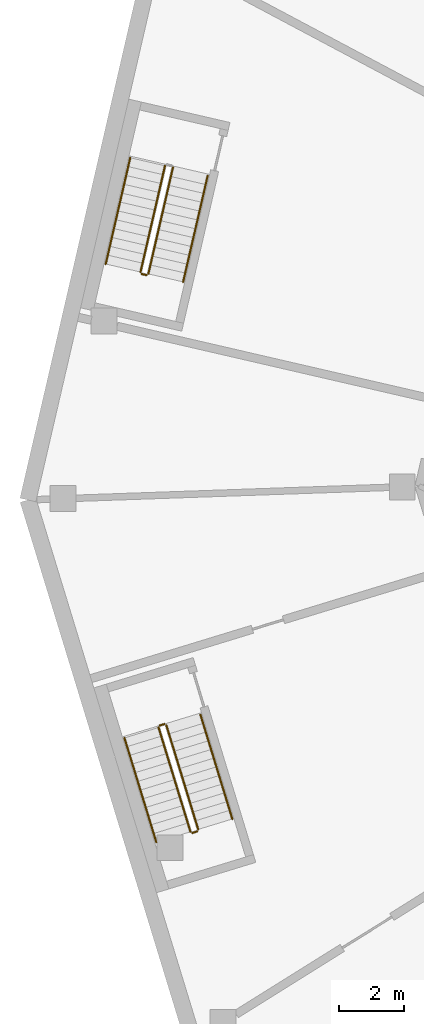
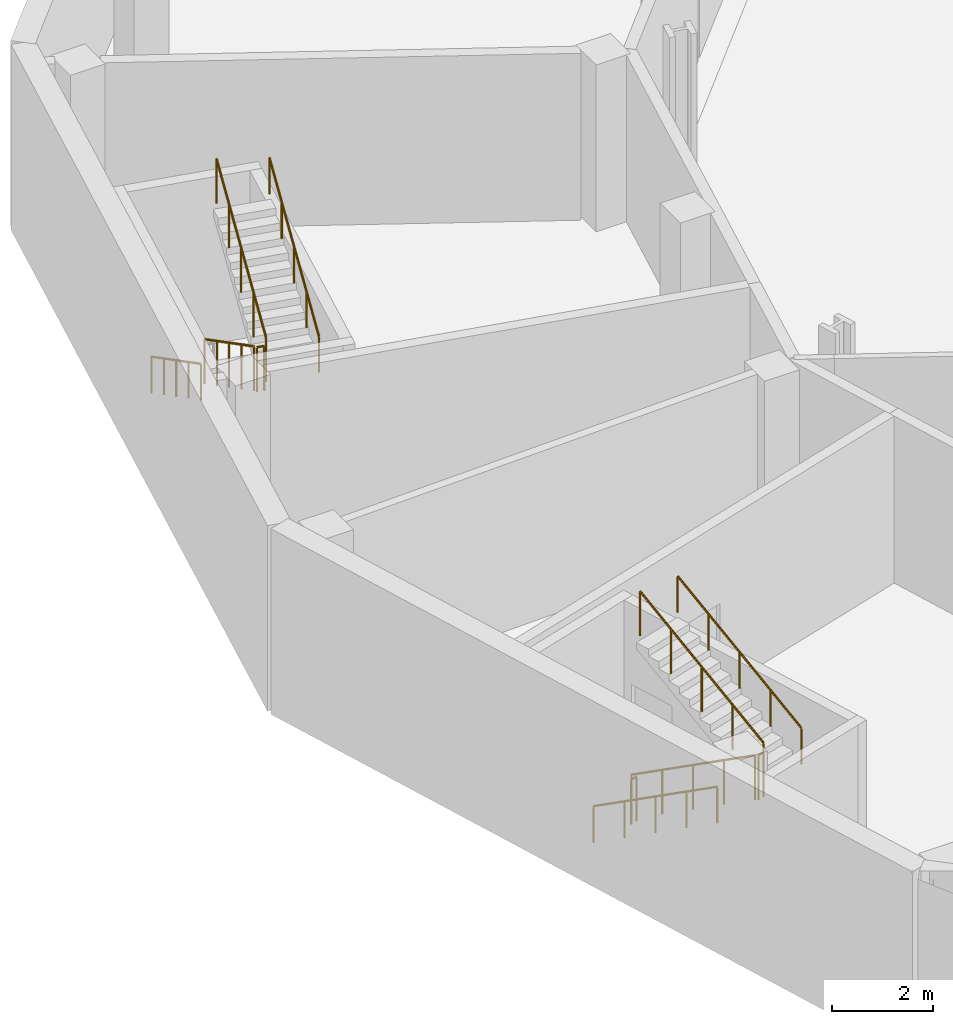
# One storey, part 21 of 27: 11 railings.
"""IFC4 building model written with IfcOpenShell, lengths in metres."""

from ifc_helpers import new_model, si_unit, direction, frame, origin, place, context, subcontext, project, spatial, polyline, outline, extrude, material, type_object, element, save


model = new_model("IFC4")

# Units and contexts
model_context = context("Model", 3, precision=1e-05, world=origin(), true_north=direction((0.0, 1.0)))
body_context = subcontext(model_context, "Body", "Model", "MODEL_VIEW")
ifc_project = project(units=[si_unit("LENGTHUNIT", "METRE"), si_unit("AREAUNIT", "SQUARE_METRE"), si_unit("VOLUMEUNIT", "CUBIC_METRE"), si_unit("PLANEANGLEUNIT", "RADIAN"), si_unit("MASSUNIT", "GRAM", prefix="KILO")], contexts=[model_context])

# Site, building, storey
site_placement = place(None, origin())
site = spatial("IfcSite", under=ifc_project, at=site_placement, CompositionType="ELEMENT")
building_placement = place(site_placement, origin())
building = spatial("IfcBuilding", under=site, at=building_placement, Name="Cormorant Relay Tower", CompositionType="ELEMENT")
storey_placement = place(building_placement, frame((0.0, 0.0, -4.5)))
storey = spatial("IfcBuildingStorey", under=building, at=storey_placement, Name="B1", CompositionType="ELEMENT", Elevation=-4.5)

# Railings
ifc_material_1 = material(Name="Steel ASTM A572 Grade 50 (Fy 345 MPa)", Category="steel")
railing_type_1 = type_object("IfcRailingType", Name="Podium stair guard 1100", PredefinedType="GUARDRAIL", material=ifc_material_1)
railing_1_placement = place(storey_placement, frame((-69.16943359375, 30.248291015625, 0.173095703125)))
element("IfcRailing", 1, at=railing_1_placement, inside=storey, type_object=railing_type_1, Name="B1 X3 stair guard 1", PredefinedType="GUARDRAIL", context=body_context, shape_type="SweptSolid", body=[
    extrude(outline(polyline([(0.022216796875, 0.00927734375), (0.00927734375, 0.022216796875), (-0.00927734375, 0.022216796875), (-0.022216796875, 0.00927734375), (-0.022216796875, -0.00927734375), (-0.00927734375, -0.022216796875), (0.00927734375, -0.022216796875), (0.022216796875, -0.00927734375), (0.022216796875, 0.00927734375)])), frame((0.0, 0.0, 1.076171875), z_axis=(-0.191351009857, -0.82881687409, 0.525782635935), x_axis=(0.974369148124, -0.224955024802, 0.0)), (0.0, 0.0, 1.0), 3.9501953125),
    extrude(outline(polyline([(0.019287109375, 0.008056640625), (0.008056640625, 0.019287109375), (-0.008056640625, 0.019287109375), (-0.019287109375, 0.008056640625), (-0.019287109375, -0.008056640625), (-0.008056640625, -0.019287109375), (0.008056640625, -0.019287109375), (0.019287109375, -0.008056640625), (0.019287109375, 0.008056640625)])), origin(), (0.0, 0.0, 1.0), 1.052001953125),
    extrude(outline(polyline([(0.019287109375, 0.008056640625), (0.008056640625, 0.019287109375), (-0.008056640625, 0.019287109375), (-0.019287109375, 0.008056640625), (-0.019287109375, -0.008056640625), (-0.008056640625, -0.019287109375), (0.008056640625, -0.019287109375), (0.019287109375, -0.008056640625), (0.019287109375, 0.008056640625)])), frame((-0.18896484375, -0.818359375, 0.519287109375)), (0.0, 0.0, 1.0), 1.052001953125),
    extrude(outline(polyline([(0.019287109375, 0.008056640625), (0.008056640625, 0.019287109375), (-0.008056640625, 0.019287109375), (-0.019287109375, 0.008056640625), (-0.019287109375, -0.008056640625), (-0.008056640625, -0.019287109375), (0.008056640625, -0.019287109375), (0.019287109375, -0.008056640625), (0.019287109375, 0.008056640625)])), frame((-0.3779296875, -1.636962890625, 1.03857421875)), (0.0, 0.0, 1.0), 1.052001953125),
    extrude(outline(polyline([(0.019287109375, 0.008056640625), (0.008056640625, 0.019287109375), (-0.008056640625, 0.019287109375), (-0.019287109375, 0.008056640625), (-0.019287109375, -0.008056640625), (-0.008056640625, -0.019287109375), (0.008056640625, -0.019287109375), (0.019287109375, -0.008056640625), (0.019287109375, 0.008056640625)])), frame((-0.56689453125, -2.45556640625, 1.5576171875)), (0.0, 0.0, 1.0), 1.052001953125),
    extrude(outline(polyline([(0.019287109375, 0.008056640625), (0.008056640625, 0.019287109375), (-0.008056640625, 0.019287109375), (-0.019287109375, 0.008056640625), (-0.019287109375, -0.008056640625), (-0.008056640625, -0.019287109375), (0.008056640625, -0.019287109375), (0.019287109375, -0.008056640625), (0.019287109375, 0.008056640625)])), frame((-0.755859375, -3.27392578125, 2.076904296875)), (0.0, 0.0, 1.0), 1.052001953125),
])
railing_2_placement = place(storey_placement, frame((-69.887939453125, 26.914306640625, 2.25)))
element("IfcRailing", 2, at=railing_2_placement, inside=storey, type_object=railing_type_1, Name="B1 X3 stair guard 2", PredefinedType="GUARDRAIL", context=body_context, shape_type="SweptSolid", body=[
    extrude(outline(polyline([(0.022216796875, 0.00927734375), (0.00927734375, 0.022216796875), (-0.00927734375, 0.022216796875), (-0.022216796875, 0.00927734375), (-0.022216796875, -0.00927734375), (-0.00927734375, -0.022216796875), (0.00927734375, -0.022216796875), (0.022216796875, -0.00927734375), (0.022216796875, 0.00927734375)])), frame((0.0, 0.0, 1.076171875), z_axis=(0.974473386136, -0.224503050562, 0.0), x_axis=(0.224503050562, 0.974473386136, 0.0)), (0.0, 0.0, 1.0), 0.150146484375),
    extrude(outline(polyline([(0.019287109375, 0.008056640625), (0.008056640625, 0.019287109375), (-0.008056640625, 0.019287109375), (-0.019287109375, 0.008056640625), (-0.019287109375, -0.008056640625), (-0.008056640625, -0.019287109375), (0.008056640625, -0.019287109375), (0.019287109375, -0.008056640625), (0.019287109375, 0.008056640625)])), origin(), (0.0, 0.0, 1.0), 1.052001953125),
    extrude(outline(polyline([(0.019287109375, 0.008056640625), (0.008056640625, 0.019287109375), (-0.008056640625, 0.019287109375), (-0.019287109375, 0.008056640625), (-0.019287109375, -0.008056640625), (-0.008056640625, -0.019287109375), (0.008056640625, -0.019287109375), (0.019287109375, -0.008056640625), (0.019287109375, 0.008056640625)])), frame((0.146240234375, -0.03369140625, 0.0)), (0.0, 0.0, 1.0), 1.052001953125),
])
railing_3_placement = place(storey_placement, frame((-69.681884765625, 26.918212890625, 2.423095703125)))
element("IfcRailing", 3, at=railing_3_placement, inside=storey, type_object=railing_type_1, Name="B1 X3 stair guard 3", PredefinedType="GUARDRAIL", context=body_context, shape_type="SweptSolid", body=[
    extrude(outline(polyline([(0.022216796875, 0.00927734375), (0.00927734375, 0.022216796875), (-0.00927734375, 0.022216796875), (-0.022216796875, 0.00927734375), (-0.022216796875, -0.00927734375), (-0.00927734375, -0.022216796875), (0.00927734375, -0.022216796875), (0.022216796875, -0.00927734375), (0.022216796875, 0.00927734375)])), frame((0.0, 0.0, 1.076171875), z_axis=(0.191351009857, 0.82881687409, 0.525782635935), x_axis=(-0.974369148124, 0.224955024802, 0.0)), (0.0, 0.0, 1.0), 3.9501953125),
    extrude(outline(polyline([(0.019287109375, 0.008056640625), (0.008056640625, 0.019287109375), (-0.008056640625, 0.019287109375), (-0.019287109375, 0.008056640625), (-0.019287109375, -0.008056640625), (-0.008056640625, -0.019287109375), (0.008056640625, -0.019287109375), (0.019287109375, -0.008056640625), (0.019287109375, 0.008056640625)])), origin(), (0.0, 0.0, 1.0), 1.052001953125),
    extrude(outline(polyline([(0.019287109375, 0.008056640625), (0.008056640625, 0.019287109375), (-0.008056640625, 0.019287109375), (-0.019287109375, 0.008056640625), (-0.019287109375, -0.008056640625), (-0.008056640625, -0.019287109375), (0.008056640625, -0.019287109375), (0.019287109375, -0.008056640625), (0.019287109375, 0.008056640625)])), frame((0.18896484375, 0.818359375, 0.519287109375)), (0.0, 0.0, 1.0), 1.052001953125),
    extrude(outline(polyline([(0.019287109375, 0.008056640625), (0.008056640625, 0.019287109375), (-0.008056640625, 0.019287109375), (-0.019287109375, 0.008056640625), (-0.019287109375, -0.008056640625), (-0.008056640625, -0.019287109375), (0.008056640625, -0.019287109375), (0.019287109375, -0.008056640625), (0.019287109375, 0.008056640625)])), frame((0.3779296875, 1.636962890625, 1.03857421875)), (0.0, 0.0, 1.0), 1.052001953125),
    extrude(outline(polyline([(0.019287109375, 0.008056640625), (0.008056640625, 0.019287109375), (-0.008056640625, 0.019287109375), (-0.019287109375, 0.008056640625), (-0.019287109375, -0.008056640625), (-0.008056640625, -0.019287109375), (0.008056640625, -0.019287109375), (0.019287109375, -0.008056640625), (0.019287109375, 0.008056640625)])), frame((0.56689453125, 2.45556640625, 1.5576171875)), (0.0, 0.0, 1.0), 1.052001953125),
    extrude(outline(polyline([(0.019287109375, 0.008056640625), (0.008056640625, 0.019287109375), (-0.008056640625, 0.019287109375), (-0.019287109375, 0.008056640625), (-0.019287109375, -0.008056640625), (-0.008056640625, -0.019287109375), (0.008056640625, -0.019287109375), (0.019287109375, -0.008056640625), (0.019287109375, 0.008056640625)])), frame((0.755859375, 3.27392578125, 2.076904296875)), (0.0, 0.0, 1.0), 1.052001953125),
])
railing_4_placement = place(storey_placement, frame((-69.367919921875, 12.9375, 0.173095703125)))
element("IfcRailing", 4, at=railing_4_placement, inside=storey, type_object=railing_type_1, Name="B1 X4 stair guard 1", PredefinedType="GUARDRAIL", context=body_context, shape_type="SweptSolid", body=[
    extrude(outline(polyline([(0.022216796875, 0.00927734375), (0.00927734375, 0.022216796875), (-0.00927734375, 0.022216796875), (-0.022216796875, 0.00927734375), (-0.022216796875, -0.00927734375), (-0.00927734375, -0.022216796875), (0.00927734375, -0.022216796875), (0.022216796875, -0.00927734375), (0.022216796875, 0.00927734375)])), frame((0.0, 0.0, 1.076171875), z_axis=(0.24869855367, -0.813461819933, 0.525765058666), x_axis=(0.956305309112, 0.292369895447, 0.0)), (0.0, 0.0, 1.0), 3.9501953125),
    extrude(outline(polyline([(0.019287109375, 0.008056640625), (0.008056640625, 0.019287109375), (-0.008056640625, 0.019287109375), (-0.019287109375, 0.008056640625), (-0.019287109375, -0.008056640625), (-0.008056640625, -0.019287109375), (0.008056640625, -0.019287109375), (0.019287109375, -0.008056640625), (0.019287109375, 0.008056640625)])), origin(), (0.0, 0.0, 1.0), 1.052001953125),
    extrude(outline(polyline([(0.019287109375, 0.008056640625), (0.008056640625, 0.019287109375), (-0.008056640625, 0.019287109375), (-0.019287109375, 0.008056640625), (-0.019287109375, -0.008056640625), (-0.008056640625, -0.019287109375), (0.008056640625, -0.019287109375), (0.019287109375, -0.008056640625), (0.019287109375, 0.008056640625)])), frame((0.24560546875, -0.80322265625, 0.519287109375)), (0.0, 0.0, 1.0), 1.052001953125),
    extrude(outline(polyline([(0.019287109375, 0.008056640625), (0.008056640625, 0.019287109375), (-0.008056640625, 0.019287109375), (-0.019287109375, 0.008056640625), (-0.019287109375, -0.008056640625), (-0.008056640625, -0.019287109375), (0.008056640625, -0.019287109375), (0.019287109375, -0.008056640625), (0.019287109375, 0.008056640625)])), frame((0.4912109375, -1.606689453125, 1.03857421875)), (0.0, 0.0, 1.0), 1.052001953125),
    extrude(outline(polyline([(0.019287109375, 0.008056640625), (0.008056640625, 0.019287109375), (-0.008056640625, 0.019287109375), (-0.019287109375, 0.008056640625), (-0.019287109375, -0.008056640625), (-0.008056640625, -0.019287109375), (0.008056640625, -0.019287109375), (0.019287109375, -0.008056640625), (0.019287109375, 0.008056640625)])), frame((0.73681640625, -2.41015625, 1.5576171875)), (0.0, 0.0, 1.0), 1.052001953125),
    extrude(outline(polyline([(0.019287109375, 0.008056640625), (0.008056640625, 0.019287109375), (-0.008056640625, 0.019287109375), (-0.019287109375, 0.008056640625), (-0.019287109375, -0.008056640625), (-0.008056640625, -0.019287109375), (0.008056640625, -0.019287109375), (0.019287109375, -0.008056640625), (0.019287109375, 0.008056640625)])), frame((0.982421875, -3.21337890625, 2.076904296875)), (0.0, 0.0, 1.0), 1.052001953125),
])
railing_5_placement = place(storey_placement, frame((-68.322998046875, 9.69091796875, 2.25)))
element("IfcRailing", 5, at=railing_5_placement, inside=storey, type_object=railing_type_1, Name="B1 X4 stair guard 2", PredefinedType="GUARDRAIL", context=body_context, shape_type="SweptSolid", body=[
    extrude(outline(polyline([(0.022216796875, 0.00927734375), (0.00927734375, 0.022216796875), (-0.00927734375, 0.022216796875), (-0.022216796875, 0.00927734375), (-0.022216796875, -0.00927734375), (-0.00927734375, -0.022216796875), (0.00927734375, -0.022216796875), (0.022216796875, -0.00927734375), (0.022216796875, 0.00927734375)])), frame((0.0, 0.0, 1.076171875), z_axis=(0.956060295189, 0.293170107554, 0.0), x_axis=(-0.293170107554, 0.956060295189, 0.0)), (0.0, 0.0, 1.0), 0.14990234375),
    extrude(outline(polyline([(0.019287109375, 0.008056640625), (0.008056640625, 0.019287109375), (-0.008056640625, 0.019287109375), (-0.019287109375, 0.008056640625), (-0.019287109375, -0.008056640625), (-0.008056640625, -0.019287109375), (0.008056640625, -0.019287109375), (0.019287109375, -0.008056640625), (0.019287109375, 0.008056640625)])), origin(), (0.0, 0.0, 1.0), 1.052001953125),
    extrude(outline(polyline([(0.019287109375, 0.008056640625), (0.008056640625, 0.019287109375), (-0.008056640625, 0.019287109375), (-0.019287109375, 0.008056640625), (-0.019287109375, -0.008056640625), (-0.008056640625, -0.019287109375), (0.008056640625, -0.019287109375), (0.019287109375, -0.008056640625), (0.019287109375, 0.008056640625)])), frame((0.143310546875, 0.0439453125, 0.0)), (0.0, 0.0, 1.0), 1.052001953125),
])
railing_6_placement = place(storey_placement, frame((-68.146484375, 9.79736328125, 2.423095703125)))
element("IfcRailing", 6, at=railing_6_placement, inside=storey, type_object=railing_type_1, Name="B1 X4 stair guard 3", PredefinedType="GUARDRAIL", context=body_context, shape_type="SweptSolid", body=[
    extrude(outline(polyline([(0.022216796875, 0.00927734375), (0.00927734375, 0.022216796875), (-0.00927734375, 0.022216796875), (-0.022216796875, 0.00927734375), (-0.022216796875, -0.00927734375), (-0.00927734375, -0.022216796875), (0.00927734375, -0.022216796875), (0.022216796875, -0.00927734375), (0.022216796875, 0.00927734375)])), frame((0.0, 0.0, 1.076171875), z_axis=(-0.248653072412, 0.81345341437, 0.5257995742), x_axis=(-0.956319412983, -0.292323759473, 0.0)), (0.0, 0.0, 1.0), 3.949951171875),
    extrude(outline(polyline([(0.019287109375, 0.008056640625), (0.008056640625, 0.019287109375), (-0.008056640625, 0.019287109375), (-0.019287109375, 0.008056640625), (-0.019287109375, -0.008056640625), (-0.008056640625, -0.019287109375), (0.008056640625, -0.019287109375), (0.019287109375, -0.008056640625), (0.019287109375, 0.008056640625)])), origin(), (0.0, 0.0, 1.0), 1.052001953125),
    extrude(outline(polyline([(0.019287109375, 0.008056640625), (0.008056640625, 0.019287109375), (-0.008056640625, 0.019287109375), (-0.019287109375, 0.008056640625), (-0.019287109375, -0.008056640625), (-0.008056640625, -0.019287109375), (0.008056640625, -0.019287109375), (0.019287109375, -0.008056640625), (0.019287109375, 0.008056640625)])), frame((-0.24560546875, 0.80322265625, 0.519287109375)), (0.0, 0.0, 1.0), 1.052001953125),
    extrude(outline(polyline([(0.019287109375, 0.008056640625), (0.008056640625, 0.019287109375), (-0.008056640625, 0.019287109375), (-0.019287109375, 0.008056640625), (-0.019287109375, -0.008056640625), (-0.008056640625, -0.019287109375), (0.008056640625, -0.019287109375), (0.019287109375, -0.008056640625), (0.019287109375, 0.008056640625)])), frame((-0.4912109375, 1.6064453125, 1.03857421875)), (0.0, 0.0, 1.0), 1.052001953125),
    extrude(outline(polyline([(0.019287109375, 0.008056640625), (0.008056640625, 0.019287109375), (-0.008056640625, 0.019287109375), (-0.019287109375, 0.008056640625), (-0.019287109375, -0.008056640625), (-0.008056640625, -0.019287109375), (0.008056640625, -0.019287109375), (0.019287109375, -0.008056640625), (0.019287109375, 0.008056640625)])), frame((-0.736572265625, 2.409912109375, 1.5576171875)), (0.0, 0.0, 1.0), 1.052001953125),
    extrude(outline(polyline([(0.019287109375, 0.008056640625), (0.008056640625, 0.019287109375), (-0.008056640625, 0.019287109375), (-0.019287109375, 0.008056640625), (-0.019287109375, -0.008056640625), (-0.008056640625, -0.019287109375), (0.008056640625, -0.019287109375), (0.019287109375, -0.008056640625), (0.019287109375, 0.008056640625)])), frame((-0.982177734375, 3.213134765625, 2.076904296875)), (0.0, 0.0, 1.0), 1.052001953125),
])
railing_7_placement = place(storey_placement, frame((-69.334716796875, 12.999755859375, 0.0)))
element("IfcRailing", 7, at=railing_7_placement, inside=storey, type_object=railing_type_1, Name="B1 X4 stair guard 4", PredefinedType="GUARDRAIL", context=body_context, shape_type="SweptSolid", body=[
    extrude(outline(polyline([(0.022216796875, 0.00927734375), (0.00927734375, 0.022216796875), (-0.00927734375, 0.022216796875), (-0.022216796875, 0.00927734375), (-0.022216796875, -0.00927734375), (-0.00927734375, -0.022216796875), (0.00927734375, -0.022216796875), (0.022216796875, -0.00927734375), (0.022216796875, 0.00927734375)])), frame((0.0, 0.0, 1.076171875), z_axis=(0.956199955507, 0.292714272094, 0.0), x_axis=(-0.292714272094, 0.956199955507, 0.0)), (0.0, 0.0, 1.0), 0.150146484375),
    extrude(outline(polyline([(0.019287109375, 0.008056640625), (0.008056640625, 0.019287109375), (-0.008056640625, 0.019287109375), (-0.019287109375, 0.008056640625), (-0.019287109375, -0.008056640625), (-0.008056640625, -0.019287109375), (0.008056640625, -0.019287109375), (0.019287109375, -0.008056640625), (0.019287109375, 0.008056640625)])), origin(), (0.0, 0.0, 1.0), 1.052001953125),
    extrude(outline(polyline([(0.019287109375, 0.008056640625), (0.008056640625, 0.019287109375), (-0.008056640625, 0.019287109375), (-0.019287109375, 0.008056640625), (-0.019287109375, -0.008056640625), (-0.008056640625, -0.019287109375), (0.008056640625, -0.019287109375), (0.019287109375, -0.008056640625), (0.019287109375, 0.008056640625)])), frame((0.1435546875, 0.0439453125, 0.0)), (0.0, 0.0, 1.0), 1.052001953125),
])
ifc_material_2 = material(Name="Stainless steel 316", Category="steel")
railing_type_2 = type_object("IfcRailingType", Name="Podium stair handrail 900", PredefinedType="HANDRAIL", material=ifc_material_2)
railing_8_placement = place(storey_placement, frame((-70.241455078125, 30.49560546875, 0.173095703125)))
element("IfcRailing", 8, at=railing_8_placement, inside=storey, type_object=railing_type_2, Name="B1 X3 stair handrail 1", PredefinedType="HANDRAIL", context=body_context, shape_type="SweptSolid", body=[
    extrude(outline(polyline([(0.022216796875, 0.00927734375), (0.00927734375, 0.022216796875), (-0.00927734375, 0.022216796875), (-0.022216796875, 0.00927734375), (-0.022216796875, -0.00927734375), (-0.00927734375, -0.022216796875), (0.00927734375, -0.022216796875), (0.022216796875, -0.00927734375), (0.022216796875, 0.00927734375)])), frame((0.0, 0.0, 0.8759765625), z_axis=(-0.191301265624, -0.82880732496, 0.525815788906), x_axis=(0.974381397077, -0.224901963155, 0.0)), (0.0, 0.0, 1.0), 3.949951171875),
    extrude(outline(polyline([(0.019287109375, 0.008056640625), (0.008056640625, 0.019287109375), (-0.008056640625, 0.019287109375), (-0.019287109375, 0.008056640625), (-0.019287109375, -0.008056640625), (-0.008056640625, -0.019287109375), (0.008056640625, -0.019287109375), (0.019287109375, -0.008056640625), (0.019287109375, 0.008056640625)])), origin(), (0.0, 0.0, 1.0), 0.851806640625),
    extrude(outline(polyline([(0.019287109375, 0.008056640625), (0.008056640625, 0.019287109375), (-0.008056640625, 0.019287109375), (-0.019287109375, 0.008056640625), (-0.019287109375, -0.008056640625), (-0.008056640625, -0.019287109375), (0.008056640625, -0.019287109375), (0.019287109375, -0.008056640625), (0.019287109375, 0.008056640625)])), frame((-0.18896484375, -0.818359375, 0.519287109375)), (0.0, 0.0, 1.0), 0.851806640625),
    extrude(outline(polyline([(0.019287109375, 0.008056640625), (0.008056640625, 0.019287109375), (-0.008056640625, 0.019287109375), (-0.019287109375, 0.008056640625), (-0.019287109375, -0.008056640625), (-0.008056640625, -0.019287109375), (0.008056640625, -0.019287109375), (0.019287109375, -0.008056640625), (0.019287109375, 0.008056640625)])), frame((-0.3779296875, -1.63671875, 1.03857421875)), (0.0, 0.0, 1.0), 0.851806640625),
    extrude(outline(polyline([(0.019287109375, 0.008056640625), (0.008056640625, 0.019287109375), (-0.008056640625, 0.019287109375), (-0.019287109375, 0.008056640625), (-0.019287109375, -0.008056640625), (-0.008056640625, -0.019287109375), (0.008056640625, -0.019287109375), (0.019287109375, -0.008056640625), (0.019287109375, 0.008056640625)])), frame((-0.566650390625, -2.455322265625, 1.5576171875)), (0.0, 0.0, 1.0), 0.851806640625),
    extrude(outline(polyline([(0.019287109375, 0.008056640625), (0.008056640625, 0.019287109375), (-0.008056640625, 0.019287109375), (-0.019287109375, 0.008056640625), (-0.019287109375, -0.008056640625), (-0.008056640625, -0.019287109375), (0.008056640625, -0.019287109375), (0.019287109375, -0.008056640625), (0.019287109375, 0.008056640625)])), frame((-0.755615234375, -3.273681640625, 2.076904296875)), (0.0, 0.0, 1.0), 0.851806640625),
])
railing_9_placement = place(storey_placement, frame((-68.60986328125, 26.670654296875, 2.423095703125)))
element("IfcRailing", 9, at=railing_9_placement, inside=storey, type_object=railing_type_2, Name="B1 X3 stair handrail 2", PredefinedType="HANDRAIL", context=body_context, shape_type="SweptSolid", body=[
    extrude(outline(polyline([(0.022216796875, 0.00927734375), (0.00927734375, 0.022216796875), (-0.00927734375, 0.022216796875), (-0.022216796875, 0.00927734375), (-0.022216796875, -0.00927734375), (-0.00927734375, -0.022216796875), (0.00927734375, -0.022216796875), (0.022216796875, -0.00927734375), (0.022216796875, 0.00927734375)])), frame((0.0, 0.0, 0.8759765625), z_axis=(0.191291465954, 0.828826674781, 0.525788853271), x_axis=(-0.974385072209, 0.224886040156, 0.0)), (0.0, 0.0, 1.0), 3.949951171875),
    extrude(outline(polyline([(0.019287109375, 0.008056640625), (0.008056640625, 0.019287109375), (-0.008056640625, 0.019287109375), (-0.019287109375, 0.008056640625), (-0.019287109375, -0.008056640625), (-0.008056640625, -0.019287109375), (0.008056640625, -0.019287109375), (0.019287109375, -0.008056640625), (0.019287109375, 0.008056640625)])), origin(), (0.0, 0.0, 1.0), 0.851806640625),
    extrude(outline(polyline([(0.019287109375, 0.008056640625), (0.008056640625, 0.019287109375), (-0.008056640625, 0.019287109375), (-0.019287109375, 0.008056640625), (-0.019287109375, -0.008056640625), (-0.008056640625, -0.019287109375), (0.008056640625, -0.019287109375), (0.019287109375, -0.008056640625), (0.019287109375, 0.008056640625)])), frame((0.18896484375, 0.818359375, 0.519287109375)), (0.0, 0.0, 1.0), 0.851806640625),
    extrude(outline(polyline([(0.019287109375, 0.008056640625), (0.008056640625, 0.019287109375), (-0.008056640625, 0.019287109375), (-0.019287109375, 0.008056640625), (-0.019287109375, -0.008056640625), (-0.008056640625, -0.019287109375), (0.008056640625, -0.019287109375), (0.019287109375, -0.008056640625), (0.019287109375, 0.008056640625)])), frame((0.3779296875, 1.636962890625, 1.03857421875)), (0.0, 0.0, 1.0), 0.851806640625),
    extrude(outline(polyline([(0.019287109375, 0.008056640625), (0.008056640625, 0.019287109375), (-0.008056640625, 0.019287109375), (-0.019287109375, 0.008056640625), (-0.019287109375, -0.008056640625), (-0.008056640625, -0.019287109375), (0.008056640625, -0.019287109375), (0.019287109375, -0.008056640625), (0.019287109375, 0.008056640625)])), frame((0.566650390625, 2.45556640625, 1.5576171875)), (0.0, 0.0, 1.0), 0.851806640625),
    extrude(outline(polyline([(0.019287109375, 0.008056640625), (0.008056640625, 0.019287109375), (-0.008056640625, 0.019287109375), (-0.019287109375, 0.008056640625), (-0.019287109375, -0.008056640625), (-0.008056640625, -0.019287109375), (0.008056640625, -0.019287109375), (0.019287109375, -0.008056640625), (0.019287109375, 0.008056640625)])), frame((0.755615234375, 3.27392578125, 2.076904296875)), (0.0, 0.0, 1.0), 0.851806640625),
])
railing_10_placement = place(storey_placement, frame((-70.419677734375, 12.61572265625, 0.173095703125)))
element("IfcRailing", 10, at=railing_10_placement, inside=storey, type_object=railing_type_2, Name="B1 X4 stair handrail 1", PredefinedType="HANDRAIL", context=body_context, shape_type="SweptSolid", body=[
    extrude(outline(polyline([(0.022216796875, 0.00927734375), (0.00927734375, 0.022216796875), (-0.00927734375, 0.022216796875), (-0.022216796875, 0.00927734375), (-0.022216796875, -0.00927734375), (-0.00927734375, -0.022216796875), (0.00927734375, -0.022216796875), (0.022216796875, -0.00927734375), (0.022216796875, 0.00927734375)])), frame((0.0, 0.0, 0.8759765625), z_axis=(0.248653072412, -0.81345341437, 0.5257995742), x_axis=(0.956319412983, 0.292323759473, 0.0)), (0.0, 0.0, 1.0), 3.949951171875),
    extrude(outline(polyline([(0.019287109375, 0.008056640625), (0.008056640625, 0.019287109375), (-0.008056640625, 0.019287109375), (-0.019287109375, 0.008056640625), (-0.019287109375, -0.008056640625), (-0.008056640625, -0.019287109375), (0.008056640625, -0.019287109375), (0.019287109375, -0.008056640625), (0.019287109375, 0.008056640625)])), origin(), (0.0, 0.0, 1.0), 0.851806640625),
    extrude(outline(polyline([(0.019287109375, 0.008056640625), (0.008056640625, 0.019287109375), (-0.008056640625, 0.019287109375), (-0.019287109375, 0.008056640625), (-0.019287109375, -0.008056640625), (-0.008056640625, -0.019287109375), (0.008056640625, -0.019287109375), (0.019287109375, -0.008056640625), (0.019287109375, 0.008056640625)])), frame((0.24560546875, -0.80322265625, 0.519287109375)), (0.0, 0.0, 1.0), 0.851806640625),
    extrude(outline(polyline([(0.019287109375, 0.008056640625), (0.008056640625, 0.019287109375), (-0.008056640625, 0.019287109375), (-0.019287109375, 0.008056640625), (-0.019287109375, -0.008056640625), (-0.008056640625, -0.019287109375), (0.008056640625, -0.019287109375), (0.019287109375, -0.008056640625), (0.019287109375, 0.008056640625)])), frame((0.4912109375, -1.6064453125, 1.03857421875)), (0.0, 0.0, 1.0), 0.851806640625),
    extrude(outline(polyline([(0.019287109375, 0.008056640625), (0.008056640625, 0.019287109375), (-0.008056640625, 0.019287109375), (-0.019287109375, 0.008056640625), (-0.019287109375, -0.008056640625), (-0.008056640625, -0.019287109375), (0.008056640625, -0.019287109375), (0.019287109375, -0.008056640625), (0.019287109375, 0.008056640625)])), frame((0.736572265625, -2.409912109375, 1.5576171875)), (0.0, 0.0, 1.0), 0.851806640625),
    extrude(outline(polyline([(0.019287109375, 0.008056640625), (0.008056640625, 0.019287109375), (-0.008056640625, 0.019287109375), (-0.019287109375, 0.008056640625), (-0.019287109375, -0.008056640625), (-0.008056640625, -0.019287109375), (0.008056640625, -0.019287109375), (0.019287109375, -0.008056640625), (0.019287109375, 0.008056640625)])), frame((0.982177734375, -3.213134765625, 2.076904296875)), (0.0, 0.0, 1.0), 0.851806640625),
])
railing_11_placement = place(storey_placement, frame((-67.094482421875, 10.118896484375, 2.423095703125)))
element("IfcRailing", 11, at=railing_11_placement, inside=storey, type_object=railing_type_2, Name="B1 X4 stair handrail 2", PredefinedType="HANDRAIL", context=body_context, shape_type="SweptSolid", body=[
    extrude(outline(polyline([(0.022216796875, 0.00927734375), (0.00927734375, 0.022216796875), (-0.00927734375, 0.022216796875), (-0.022216796875, 0.00927734375), (-0.022216796875, -0.00927734375), (-0.00927734375, -0.022216796875), (0.00927734375, -0.022216796875), (0.022216796875, -0.00927734375), (0.022216796875, 0.00927734375)])), frame((0.0, 0.0, 0.8759765625), z_axis=(-0.248711057469, 0.813440911369, 0.525791492517), x_axis=(-0.956299097773, -0.292390211188, 0.0)), (0.0, 0.0, 1.0), 3.949951171875),
    extrude(outline(polyline([(0.019287109375, 0.008056640625), (0.008056640625, 0.019287109375), (-0.008056640625, 0.019287109375), (-0.019287109375, 0.008056640625), (-0.019287109375, -0.008056640625), (-0.008056640625, -0.019287109375), (0.008056640625, -0.019287109375), (0.019287109375, -0.008056640625), (0.019287109375, 0.008056640625)])), origin(), (0.0, 0.0, 1.0), 0.851806640625),
    extrude(outline(polyline([(0.019287109375, 0.008056640625), (0.008056640625, 0.019287109375), (-0.008056640625, 0.019287109375), (-0.019287109375, 0.008056640625), (-0.019287109375, -0.008056640625), (-0.008056640625, -0.019287109375), (0.008056640625, -0.019287109375), (0.019287109375, -0.008056640625), (0.019287109375, 0.008056640625)])), frame((-0.24560546875, 0.80322265625, 0.519287109375)), (0.0, 0.0, 1.0), 0.851806640625),
    extrude(outline(polyline([(0.019287109375, 0.008056640625), (0.008056640625, 0.019287109375), (-0.008056640625, 0.019287109375), (-0.019287109375, 0.008056640625), (-0.019287109375, -0.008056640625), (-0.008056640625, -0.019287109375), (0.008056640625, -0.019287109375), (0.019287109375, -0.008056640625), (0.019287109375, 0.008056640625)])), frame((-0.4912109375, 1.6064453125, 1.03857421875)), (0.0, 0.0, 1.0), 0.851806640625),
    extrude(outline(polyline([(0.019287109375, 0.008056640625), (0.008056640625, 0.019287109375), (-0.008056640625, 0.019287109375), (-0.019287109375, 0.008056640625), (-0.019287109375, -0.008056640625), (-0.008056640625, -0.019287109375), (0.008056640625, -0.019287109375), (0.019287109375, -0.008056640625), (0.019287109375, 0.008056640625)])), frame((-0.73681640625, 2.409912109375, 1.5576171875)), (0.0, 0.0, 1.0), 0.851806640625),
    extrude(outline(polyline([(0.019287109375, 0.008056640625), (0.008056640625, 0.019287109375), (-0.008056640625, 0.019287109375), (-0.019287109375, 0.008056640625), (-0.019287109375, -0.008056640625), (-0.008056640625, -0.019287109375), (0.008056640625, -0.019287109375), (0.019287109375, -0.008056640625), (0.019287109375, 0.008056640625)])), frame((-0.982421875, 3.213134765625, 2.076904296875)), (0.0, 0.0, 1.0), 0.851806640625),
])

save(model, "model.ifc")
